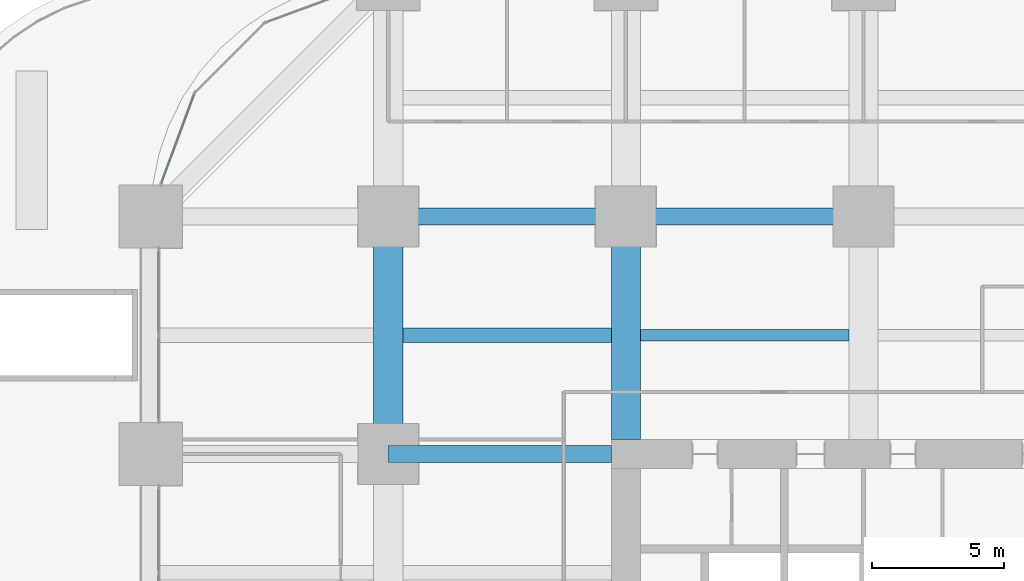
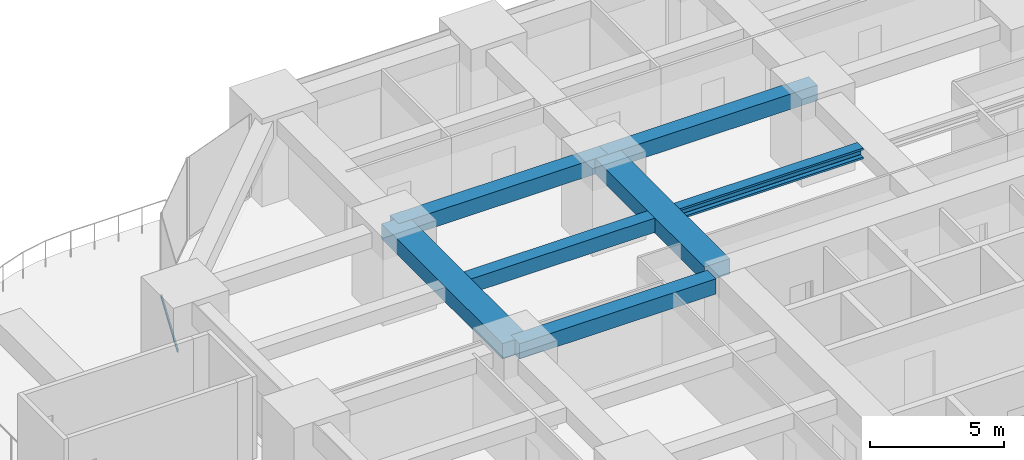
# One storey, part 16 of 38: 7 beams, 1 member, 1 element without a shape of its own.
"""IFC4 building model written with IfcOpenShell, lengths in metres."""

from ifc_helpers import new_model, si_unit, direction, frame, origin, origin_2d, place, context, subcontext, project, spatial, rectangle, hollow_rectangle, i_section, extrude, material, material_profile, profile_set, type_object, element, aggregate, save


model = new_model("IFC4")

# Units and contexts
model_context = context("Model", 3, precision=1e-05, world=origin(), true_north=direction((0.0, 1.0)))
body_context = subcontext(model_context, "Body", "Model", "MODEL_VIEW")
ifc_project = project(units=[si_unit("LENGTHUNIT", "METRE"), si_unit("AREAUNIT", "SQUARE_METRE"), si_unit("VOLUMEUNIT", "CUBIC_METRE"), si_unit("PLANEANGLEUNIT", "RADIAN"), si_unit("MASSUNIT", "GRAM", prefix="KILO")], contexts=[model_context])

# Site, building, storey
site_placement = place(None, origin())
site = spatial("IfcSite", under=ifc_project, at=site_placement, CompositionType="ELEMENT")
building_placement = place(site_placement, origin())
building = spatial("IfcBuilding", under=site, at=building_placement, Name="Zorevar Civic Tower", CompositionType="ELEMENT")
storey_placement = place(building_placement, frame((0.0, 0.0, 15.800048828125)))
storey = spatial("IfcBuildingStorey", under=building, at=storey_placement, Name="L03", CompositionType="ELEMENT", Elevation=15.800048828125)

# Beams
ifc_material_1 = material(Name="Concrete C50/60", Category="concrete")
ifc_material_profile_1 = material_profile(ifc_material_1, rectangle(XDim=1.10009765625, YDim=0.699951171875, at=origin_2d()), Name="RC 1100x700")
ifc_profile_set_1 = profile_set([ifc_material_profile_1], Name="Concrete C50/60")
beam_type_1 = type_object("IfcBeamType", Name="Beam RC 1100x700", PredefinedType="BEAM", material=ifc_profile_set_1)
beam_1_placement = place(storey_placement, frame((9.0, 36.0, 3.39990234375), z_axis=(0.0, 1.0, 0.0), x_axis=(-1.0, 0.0, 0.0)))
element("IfcBeam", 1, at=beam_1_placement, inside=storey, type_object=beam_type_1, Name="Girder L04", PredefinedType="BEAM", context=body_context, shape_type="SweptSolid", body=[
    extrude(rectangle(XDim=1.10009765625, YDim=0.699951171875, at=origin_2d()), origin(), (0.0, 0.0, 1.0), 9.0),
])
beam_2_placement = place(storey_placement, frame((18.0, 36.550048828125, 3.39990234375), z_axis=(0.0, 1.0, 0.0), x_axis=(-1.0, 0.0, 0.0)))
element("IfcBeam", 2, at=beam_2_placement, inside=storey, type_object=beam_type_1, Name="Girder L04", PredefinedType="BEAM", context=body_context, shape_type="SweptSolid", body=[
    extrude(rectangle(XDim=1.10009765625, YDim=0.699951171875, at=origin_2d()), origin(), (0.0, 0.0, 1.0), 8.449951171875),
])
ifc_material_2 = material(Name="Concrete C50/60", Category="concrete")
ifc_material_profile_2 = material_profile(ifc_material_2, rectangle(XDim=0.550048828125, YDim=0.64990234375, at=origin_2d()), Name="RC 550x650")
ifc_profile_set_2 = profile_set([ifc_material_profile_2], Name="Concrete C50/60")
beam_type_2 = type_object("IfcBeamType", Name="Beam RC 550x650", PredefinedType="BEAM", material=ifc_profile_set_2)
beam_3_placement = place(storey_placement, frame((9.550048828125, 40.5, 3.425048828125), z_axis=(1.0, 0.0, 0.0), x_axis=(0.0, 1.0, 0.0)))
element("IfcBeam", 3, at=beam_3_placement, inside=storey, type_object=beam_type_2, Name="Secondary beam L04", PredefinedType="BEAM", context=body_context, shape_type="SweptSolid", body=[
    extrude(rectangle(XDim=0.550048828125, YDim=0.64990234375, at=origin_2d()), origin(), (0.0, 0.0, 1.0), 7.89990234375),
])
ifc_material_3 = material(Name="Concrete C50/60", Category="concrete")
ifc_material_profile_3 = material_profile(ifc_material_3, rectangle(XDim=0.64990234375, YDim=0.699951171875, at=origin_2d()), Name="RC 650x700")
ifc_profile_set_3 = profile_set([ifc_material_profile_3], Name="Concrete C50/60")
beam_type_3 = type_object("IfcBeamType", Name="Beam RC 650x700", PredefinedType="BEAM", material=ifc_profile_set_3)
beam_4_placement = place(storey_placement, frame((9.0, 36.0, 3.39990234375), z_axis=(1.0, 0.0, 0.0), x_axis=(0.0, 1.0, 0.0)))
element("IfcBeam", 4, at=beam_4_placement, inside=storey, type_object=beam_type_3, Name="Girder L04", PredefinedType="BEAM", context=body_context, shape_type="SweptSolid", body=[
    extrude(rectangle(XDim=0.64990234375, YDim=0.699951171875, at=origin_2d()), origin(), (0.0, 0.0, 1.0), 8.449951171875),
])
for number, where, z_axis, x_axis, name in (
    (5, (9.0, 45.0, 3.39990234375), (1.0, 0.0, 0.0), (0.0, 1.0, 0.0), "Girder L04"),
    (6, (18.0, 45.0, 3.39990234375), (1.0, 0.0, 0.0), (0.0, 1.0, 0.0), "Girder L04"),
):
    element("IfcBeam", number, at=place(storey_placement, frame(where, z_axis=z_axis, x_axis=x_axis)), inside=storey, type_object=beam_type_3, Name=name, PredefinedType="BEAM", context=body_context, shape_type="SweptSolid", body=[
        extrude(rectangle(XDim=0.64990234375, YDim=0.699951171875, at=origin_2d()), origin(), (0.0, 0.0, 1.0), 9.0),
    ])

# Curtain wall, member
ifc_material_4 = material(Name="Dark grey solar-control glass in black aluminium frame", Category="aluminium")
curtain_wall_type = type_object("IfcCurtainWallType", Name="Curtain wall CW2 low zone", PredefinedType="NOTDEFINED", material=ifc_material_4)
curtain_wall_placement = place(storey_placement, origin())
curtain_wall = element("IfcCurtainWall", 7, at=curtain_wall_placement, inside=storey, type_object=curtain_wall_type, Name="CW2 L03", PredefinedType="NOTDEFINED")
ifc_material_5 = material(Name="Aluminium, black anodised", Category="aluminium")
ifc_material_profile_4 = material_profile(ifc_material_5, hollow_rectangle(XDim=0.06005859375, YDim=0.14990234375, WallThickness=0.00390625, at=origin_2d()), Name="AL 150x60x4")
ifc_profile_set_4 = profile_set([ifc_material_profile_4], Name="Aluminium, black anodised")
member_type = type_object("IfcMemberType", Name="CW2 transom AL 150x60x4", PredefinedType="USERDEFINED", material=ifc_profile_set_4)
member_placement = place(storey_placement, frame((1.6533203125, 49.636474609375, 0.030029296875), z_axis=(-0.346672169799, -0.93798635741, 0.0), x_axis=(0.93798635741, -0.346672169799, 0.0)))
member = element("IfcMember", 8, at=member_placement, type_object=member_type, Name="CW2 sill transom", ObjectType="TRANSOM", PredefinedType="USERDEFINED", context=body_context, shape_type="SweptSolid", body=[
    extrude(hollow_rectangle(XDim=0.06005859375, YDim=0.14990234375, WallThickness=0.00390625, at=origin_2d()), origin(), (0.0, 0.0, 1.0), 3.603515625),
])
aggregate(curtain_wall, [member])

# Beam
ifc_material_6 = material(Name="Steel S460M (HISTAR 460)", Category="steel")
ifc_material_profile_5 = material_profile(ifc_material_6, i_section(OverallWidth=0.431884765625, OverallDepth=0.498046875, WebThickness=0.0556640625, FlangeThickness=0.0888671875, FilletRadius=0.014892578125, at=origin_2d()), Name="HD 400x744")
ifc_profile_set_5 = profile_set([ifc_material_profile_5], Name="Steel S460M (HISTAR 460)")
beam_type_4 = type_object("IfcBeamType", Name="Core bay beam HD 400x744", PredefinedType="BEAM", material=ifc_profile_set_5)
beam_5_placement = place(storey_placement, frame((18.550048828125, 40.5, 3.5009765625), z_axis=(1.0, 0.0, 0.0), x_axis=(0.0, 1.0, 0.0)))
element("IfcBeam", 9, at=beam_5_placement, inside=storey, type_object=beam_type_4, Name="Secondary beam L04", PredefinedType="BEAM", context=body_context, shape_type="SweptSolid", body=[
    extrude(i_section(OverallWidth=0.431884765625, OverallDepth=0.498046875, WebThickness=0.0556640625, FlangeThickness=0.0888671875, FilletRadius=0.014892578125, at=origin_2d()), origin(), (0.0, 0.0, 1.0), 7.89990234375),
])

save(model, "model.ifc")
